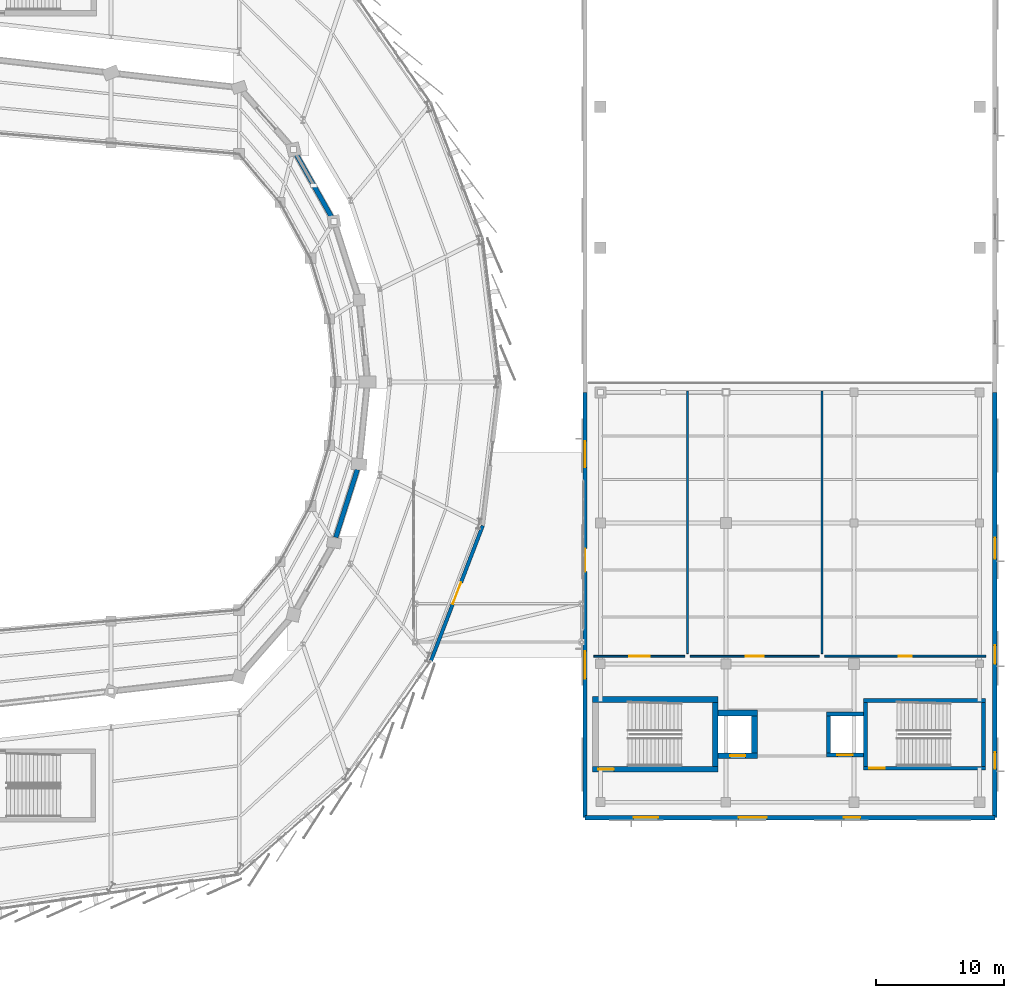
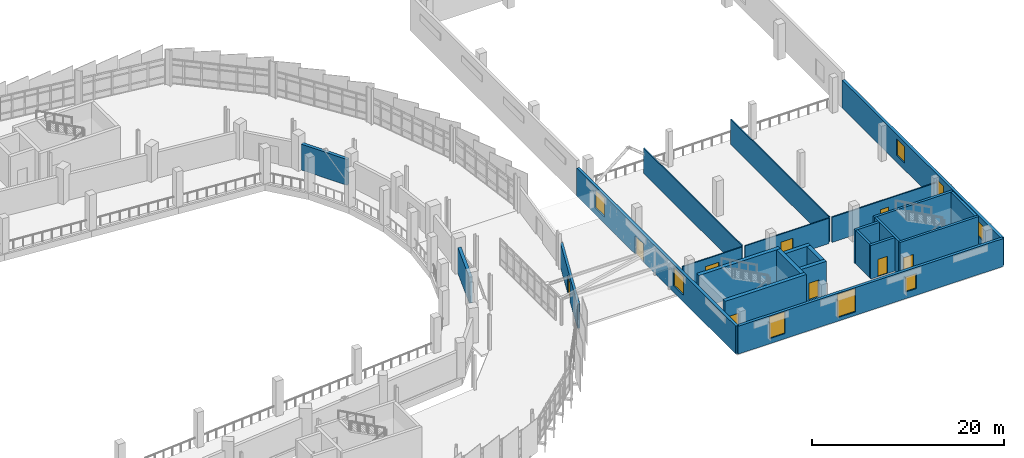
# One storey, part 108 of 125: 24 walls, 9 doors, 8 windows, 17 openings.
"""IFC4 building model written with IfcOpenShell, lengths in metres."""

from ifc_helpers import new_model, si_unit, direction, frame, frame_2d, origin, place, context, subcontext, project, spatial, rectangle, extrude, material, layer, layer_set, type_object, element, fill, save


model = new_model("IFC4")

# Units and contexts
model_context = context("Model", 3, precision=1e-05, world=origin(), true_north=direction((0.0, 1.0)))
body_context = subcontext(model_context, "Body", "Model", "MODEL_VIEW")
ifc_project = project(units=[si_unit("LENGTHUNIT", "METRE"), si_unit("AREAUNIT", "SQUARE_METRE"), si_unit("VOLUMEUNIT", "CUBIC_METRE"), si_unit("PLANEANGLEUNIT", "RADIAN"), si_unit("MASSUNIT", "GRAM", prefix="KILO")], contexts=[model_context])

# Site, building, storey
site_placement = place(None, origin())
site = spatial("IfcSite", under=ifc_project, at=site_placement, CompositionType="ELEMENT")
building_placement = place(site_placement, origin())
building = spatial("IfcBuilding", under=site, at=building_placement, Name="Sohan Crest Arena", CompositionType="ELEMENT")
storey_placement = place(building_placement, frame((0.0, 0.0, 9.0)))
storey = spatial("IfcBuildingStorey", under=building, at=storey_placement, Name="L02", CompositionType="ELEMENT", Elevation=9.0)

# Wall, opening, door
ifc_material_1 = material(Name="Clinker brick and ceramic mosaic envelope wall", Category="masonry")
ifc_layer_1 = layer(ifc_material_1, 0.280029296875, Name="Clinker brick and ceramic mosaic envelope wall")
ifc_layer_set_1 = layer_set([ifc_layer_1], Name="Clinker brick and ceramic mosaic envelope wall")
wall_type_1 = type_object("IfcWallType", Name="WAL-EW02", PredefinedType="SOLIDWALL", material=ifc_layer_set_1)
wall_1_placement = place(storey_placement, frame((182.97607421875, 56.239013671875, 0.0), z_axis=(0.0, 0.0, 1.0), x_axis=(0.357550614444, 0.933893761683, 0.0)))
wall_1 = element("IfcWall", 1, at=wall_1_placement, inside=storey, type_object=wall_type_1, Name="External wall EW-094", PredefinedType="SOLIDWALL", context=body_context, shape_type="SweptSolid", body=[
    extrude(rectangle(XDim=11.2958984375, YDim=0.280029296875, at=frame_2d((5.64794921875, 0.0))), origin(), (0.0, 0.0, 1.0), 3.10009765625),
])
opening_1_placement = place(wall_1_placement, frame((4.748046875, 0.0, 0.0)))
opening_1 = element("IfcOpeningElement", 2, at=opening_1_placement, cuts=wall_1, Name="Opening BD-L02-22", PredefinedType="OPENING", context=body_context, shape_type="SweptSolid", body=[
    extrude(rectangle(XDim=1.800048828125, YDim=2.35009765625, at=frame_2d((0.89990234375, 1.175048828125))), frame((0.0, 0.14990234375, 0.0), z_axis=(0.0, -1.0, 0.0), x_axis=(1.0, 0.0, 0.0)), (0.0, 0.0, 1.0), 0.300048828125),
])
ifc_material_2 = material(Name="Glazed aluminium terrace access door", Category="aluminium")
door_type_1 = type_object("IfcDoorType", Name="DR-ED01", OperationType="DOUBLE_DOOR_SINGLE_SWING", PredefinedType="DOOR", material=ifc_material_2)
door_1_placement = place(opening_1_placement, frame((1.800048828125, 0.0, 0.0), z_axis=(0.0, 0.0, 1.0), x_axis=(-1.0, 0.0, 0.0)))
door_1 = element("IfcDoor", 3, at=door_1_placement, inside=storey, type_object=door_type_1, Name="Covered bridge passage door BD-L02-22", OperationType="DOUBLE_DOOR_SINGLE_SWING", OverallHeight=2.35009765625, OverallWidth=1.800048828125, PredefinedType="DOOR", context=body_context, shape_type="SweptSolid", body=[
    extrude(rectangle(XDim=1.800048828125, YDim=2.35009765625, at=frame_2d((0.89990234375, 1.175048828125))), frame((0.0, 0.02490234375, 0.0), z_axis=(0.0, -1.0, 0.0), x_axis=(1.0, 0.0, 0.0)), (0.0, 0.0, 1.0), 0.050048828125),
])
fill(opening_1, door_1)

# Wall, openings, windows
ifc_material_3 = material(Name="Honed dark basalt stone cladding wall", Category="masonry")
ifc_layer_2 = layer(ifc_material_3, 0.340087890625, Name="Honed dark basalt stone cladding wall")
ifc_layer_set_2 = layer_set([ifc_layer_2], Name="Honed dark basalt stone cladding wall")
wall_type_2 = type_object("IfcWallType", Name="WAL-EW04", PredefinedType="SOLIDWALL", material=ifc_layer_set_2)
wall_2_placement = place(storey_placement, frame((195.0, 44.0, 0.0), z_axis=(0.0, 0.0, 1.0), x_axis=(1.0, 0.0, 0.0)))
wall_2 = element("IfcWall", 4, at=wall_2_placement, inside=storey, type_object=wall_type_2, Name="External wall EW-114", PredefinedType="SOLIDWALL", context=body_context, shape_type="SweptSolid", body=[
    extrude(rectangle(XDim=32.0, YDim=0.340087890625, at=frame_2d((16.0, 0.0))), origin(), (0.0, 0.0, 1.0), 3.550048828125),
])
opening_2_placement = place(wall_2_placement, frame((3.800048828125, 0.0, 0.64990234375)))
opening_2 = element("IfcOpeningElement", 5, at=opening_2_placement, cuts=wall_2, Name="Opening W-014", PredefinedType="OPENING", context=body_context, shape_type="SweptSolid", body=[
    extrude(rectangle(XDim=1.89990234375, YDim=2.800048828125, at=frame_2d((0.949951171875, 1.39990234375))), frame((0.0, 0.179931640625, 0.0), z_axis=(0.0, -1.0, 0.0), x_axis=(1.0, 0.0, 0.0)), (0.0, 0.0, 1.0), 0.360107421875),
])
opening_3_placement = place(wall_2_placement, frame((12.0, 0.0, 0.449951171875)))
opening_3 = element("IfcOpeningElement", 6, at=opening_3_placement, cuts=wall_2, Name="Opening W-015", PredefinedType="OPENING", context=body_context, shape_type="SweptSolid", body=[
    extrude(rectangle(XDim=2.199951171875, YDim=3.0, at=frame_2d((1.10009765625, 1.5))), frame((0.0, 0.179931640625, 0.0), z_axis=(0.0, -1.0, 0.0), x_axis=(1.0, 0.0, 0.0)), (0.0, 0.0, 1.0), 0.360107421875),
])
opening_4_placement = place(wall_2_placement, frame((20.199951171875, 0.0, 0.85009765625)))
opening_4 = element("IfcOpeningElement", 7, at=opening_4_placement, cuts=wall_2, Name="Opening W-016", PredefinedType="OPENING", context=body_context, shape_type="SweptSolid", body=[
    extrude(rectangle(XDim=1.300048828125, YDim=1.89990234375, at=frame_2d((0.64990234375, 0.949951171875))), frame((0.0, 0.179931640625, 0.0), z_axis=(0.0, -1.0, 0.0), x_axis=(1.0, 0.0, 0.0)), (0.0, 0.0, 1.0), 0.360107421875),
])
ifc_material_4 = material(Name="Low-E double-glazed insulated glass", Category="glass")
window_type_1 = type_object("IfcWindowType", Name="WIN-W14", PartitioningType="SINGLE_PANEL", PredefinedType="WINDOW", material=ifc_material_4)
window_1_placement = place(opening_2_placement, origin())
window_1 = element("IfcWindow", 8, at=window_1_placement, inside=storey, type_object=window_type_1, Name="Community wing window W-014", OverallHeight=2.800048828125, OverallWidth=1.89990234375, PartitioningType="SINGLE_PANEL", PredefinedType="WINDOW", context=body_context, shape_type="SweptSolid", body=[
    extrude(rectangle(XDim=1.89990234375, YDim=2.800048828125, at=frame_2d((0.949951171875, 1.39990234375))), frame((0.0, 0.030029296875, 0.0), z_axis=(0.0, -1.0, 0.0), x_axis=(1.0, 0.0, 0.0)), (0.0, 0.0, 1.0), 0.06005859375),
])
fill(opening_2, window_1)
window_type_2 = type_object("IfcWindowType", Name="WIN-W15", PartitioningType="SINGLE_PANEL", PredefinedType="WINDOW", material=ifc_material_4)
window_2_placement = place(opening_3_placement, origin())
window_2 = element("IfcWindow", 9, at=window_2_placement, inside=storey, type_object=window_type_2, Name="Community wing window W-015", OverallHeight=3.0, OverallWidth=2.199951171875, PartitioningType="SINGLE_PANEL", PredefinedType="WINDOW", context=body_context, shape_type="SweptSolid", body=[
    extrude(rectangle(XDim=2.199951171875, YDim=3.0, at=frame_2d((1.10009765625, 1.5))), frame((0.0, 0.030029296875, 0.0), z_axis=(0.0, -1.0, 0.0), x_axis=(1.0, 0.0, 0.0)), (0.0, 0.0, 1.0), 0.06005859375),
])
fill(opening_3, window_2)
window_type_3 = type_object("IfcWindowType", Name="WIN-W17", PartitioningType="SINGLE_PANEL", PredefinedType="WINDOW", material=ifc_material_4)
window_3_placement = place(opening_4_placement, origin())
window_3 = element("IfcWindow", 10, at=window_3_placement, inside=storey, type_object=window_type_3, Name="Community wing window W-016", OverallHeight=1.89990234375, OverallWidth=1.300048828125, PartitioningType="SINGLE_PANEL", PredefinedType="WINDOW", context=body_context, shape_type="SweptSolid", body=[
    extrude(rectangle(XDim=1.300048828125, YDim=1.89990234375, at=frame_2d((0.64990234375, 0.949951171875))), frame((0.0, 0.030029296875, 0.0), z_axis=(0.0, -1.0, 0.0), x_axis=(1.0, 0.0, 0.0)), (0.0, 0.0, 1.0), 0.06005859375),
])
fill(opening_4, window_3)

wall_3_placement = place(storey_placement, frame((227.0, 44.0, 0.0), z_axis=(0.0, 0.0, 1.0), x_axis=(0.0, 1.0, 0.0)))
wall_3 = element("IfcWall", 11, at=wall_3_placement, inside=storey, type_object=wall_type_2, Name="External wall EW-115", PredefinedType="SOLIDWALL", context=body_context, shape_type="SweptSolid", body=[
    extrude(rectangle(XDim=33.199951171875, YDim=0.340087890625, at=frame_2d((16.60009765625, 0.0))), origin(), (0.0, 0.0, 1.0), 3.550048828125),
])
opening_5_placement = place(wall_3_placement, frame((3.800048828125, 0.0, 0.85009765625)))
opening_5 = element("IfcOpeningElement", 12, at=opening_5_placement, cuts=wall_3, Name="Opening W-017", PredefinedType="OPENING", context=body_context, shape_type="SweptSolid", body=[
    extrude(rectangle(XDim=1.300048828125, YDim=1.89990234375, at=frame_2d((0.64990234375, 0.949951171875))), frame((0.0, 0.179931640625, 0.0), z_axis=(0.0, -1.0, 0.0), x_axis=(1.0, 0.0, 0.0)), (0.0, 0.0, 1.0), 0.360107421875),
])
opening_6_placement = place(wall_3_placement, frame((12.0, 0.0, 0.85009765625)))
opening_6 = element("IfcOpeningElement", 13, at=opening_6_placement, cuts=wall_3, Name="Opening W-018", PredefinedType="OPENING", context=body_context, shape_type="SweptSolid", body=[
    extrude(rectangle(XDim=1.449951171875, YDim=2.0, at=frame_2d((0.72509765625, 1.0))), frame((0.0, 0.179931640625, 0.0), z_axis=(0.0, -1.0, 0.0), x_axis=(1.0, 0.0, 0.0)), (0.0, 0.0, 1.0), 0.360107421875),
])
opening_7_placement = place(wall_3_placement, frame((20.199951171875, 0.0, 0.85009765625)))
opening_7 = element("IfcOpeningElement", 14, at=opening_7_placement, cuts=wall_3, Name="Opening W-019", PredefinedType="OPENING", context=body_context, shape_type="SweptSolid", body=[
    extrude(rectangle(XDim=1.64990234375, YDim=2.10009765625, at=frame_2d((0.824951171875, 1.050048828125))), frame((0.0, 0.179931640625, 0.0), z_axis=(0.0, -1.0, 0.0), x_axis=(1.0, 0.0, 0.0)), (0.0, 0.0, 1.0), 0.360107421875),
])
window_4_placement = place(opening_5_placement, origin())
window_4 = element("IfcWindow", 15, at=window_4_placement, inside=storey, type_object=window_type_3, Name="Community wing window W-017", OverallHeight=1.89990234375, OverallWidth=1.300048828125, PartitioningType="SINGLE_PANEL", PredefinedType="WINDOW", context=body_context, shape_type="SweptSolid", body=[
    extrude(rectangle(XDim=1.300048828125, YDim=1.89990234375, at=frame_2d((0.64990234375, 0.949951171875))), frame((0.0, 0.030029296875, 0.0), z_axis=(0.0, -1.0, 0.0), x_axis=(1.0, 0.0, 0.0)), (0.0, 0.0, 1.0), 0.06005859375),
])
fill(opening_5, window_4)
window_type_4 = type_object("IfcWindowType", Name="WIN-W18", PartitioningType="SINGLE_PANEL", PredefinedType="WINDOW", material=ifc_material_4)
window_5_placement = place(opening_6_placement, origin())
window_5 = element("IfcWindow", 16, at=window_5_placement, inside=storey, type_object=window_type_4, Name="Community wing window W-018", OverallHeight=2.0, OverallWidth=1.449951171875, PartitioningType="SINGLE_PANEL", PredefinedType="WINDOW", context=body_context, shape_type="SweptSolid", body=[
    extrude(rectangle(XDim=1.449951171875, YDim=2.0, at=frame_2d((0.72509765625, 1.0))), frame((0.0, 0.030029296875, 0.0), z_axis=(0.0, -1.0, 0.0), x_axis=(1.0, 0.0, 0.0)), (0.0, 0.0, 1.0), 0.06005859375),
])
fill(opening_6, window_5)
window_type_5 = type_object("IfcWindowType", Name="WIN-W19", PartitioningType="SINGLE_PANEL", PredefinedType="WINDOW", material=ifc_material_4)
window_6_placement = place(opening_7_placement, origin())
window_6 = element("IfcWindow", 17, at=window_6_placement, inside=storey, type_object=window_type_5, Name="Community wing window W-019", OverallHeight=2.10009765625, OverallWidth=1.64990234375, PartitioningType="SINGLE_PANEL", PredefinedType="WINDOW", context=body_context, shape_type="SweptSolid", body=[
    extrude(rectangle(XDim=1.64990234375, YDim=2.10009765625, at=frame_2d((0.824951171875, 1.050048828125))), frame((0.0, 0.030029296875, 0.0), z_axis=(0.0, -1.0, 0.0), x_axis=(1.0, 0.0, 0.0)), (0.0, 0.0, 1.0), 0.06005859375),
])
fill(opening_7, window_6)

# Wall, openings, door, windows
wall_4_placement = place(storey_placement, frame((195.0, 77.199951171875, 0.0), z_axis=(0.0, 0.0, 1.0), x_axis=(0.0, -1.0, 0.0)))
wall_4 = element("IfcWall", 18, at=wall_4_placement, inside=storey, type_object=wall_type_2, Name="External wall EW-119", PredefinedType="SOLIDWALL", context=body_context, shape_type="SweptSolid", body=[
    extrude(rectangle(XDim=33.199951171875, YDim=0.340087890625, at=frame_2d((16.60009765625, 0.0))), origin(), (0.0, 0.0, 1.0), 3.550048828125),
])
opening_8_placement = place(wall_4_placement, frame((12.199951171875, 0.0, 0.0)))
opening_8 = element("IfcOpeningElement", 19, at=opening_8_placement, cuts=wall_4, Name="Opening V4B-L02-64", PredefinedType="OPENING", context=body_context, shape_type="SweptSolid", body=[
    extrude(rectangle(XDim=1.800048828125, YDim=2.35009765625, at=frame_2d((0.89990234375, 1.175048828125))), frame((0.0, 0.179931640625, 0.0), z_axis=(0.0, -1.0, 0.0), x_axis=(1.0, 0.0, 0.0)), (0.0, 0.0, 1.0), 0.360107421875),
])
opening_9_placement = place(wall_4_placement, frame((3.800048828125, 0.0, 0.85009765625)))
opening_9 = element("IfcOpeningElement", 20, at=opening_9_placement, cuts=wall_4, Name="Opening W-023", PredefinedType="OPENING", context=body_context, shape_type="SweptSolid", body=[
    extrude(rectangle(XDim=2.050048828125, YDim=2.300048828125, at=frame_2d((1.02490234375, 1.14990234375))), frame((0.0, 0.179931640625, 0.0), z_axis=(0.0, -1.0, 0.0), x_axis=(1.0, 0.0, 0.0)), (0.0, 0.0, 1.0), 0.360107421875),
])
opening_10_placement = place(wall_4_placement, frame((20.199951171875, 0.0, 0.85009765625)))
opening_10 = element("IfcOpeningElement", 21, at=opening_10_placement, cuts=wall_4, Name="Opening W-024", PredefinedType="OPENING", context=body_context, shape_type="SweptSolid", body=[
    extrude(rectangle(XDim=2.14990234375, YDim=2.35009765625, at=frame_2d((1.074951171875, 1.175048828125))), frame((0.0, 0.179931640625, 0.0), z_axis=(0.0, -1.0, 0.0), x_axis=(1.0, 0.0, 0.0)), (0.0, 0.0, 1.0), 0.360107421875),
])
door_2_placement = place(opening_8_placement, frame((1.800048828125, 0.0, 0.0), z_axis=(0.0, 0.0, 1.0), x_axis=(-1.0, 0.0, 0.0)))
door_2 = element("IfcDoor", 22, at=door_2_placement, inside=storey, type_object=door_type_1, Name="Practice hall bridge door V4B-L02-64", OperationType="DOUBLE_DOOR_SINGLE_SWING", OverallHeight=2.35009765625, OverallWidth=1.800048828125, PredefinedType="DOOR", context=body_context, shape_type="SweptSolid", body=[
    extrude(rectangle(XDim=1.800048828125, YDim=2.35009765625, at=frame_2d((0.89990234375, 1.175048828125))), frame((0.0, 0.02490234375, 0.0), z_axis=(0.0, -1.0, 0.0), x_axis=(1.0, 0.0, 0.0)), (0.0, 0.0, 1.0), 0.050048828125),
])
fill(opening_8, door_2)
window_type_6 = type_object("IfcWindowType", Name="WIN-W23", PartitioningType="SINGLE_PANEL", PredefinedType="WINDOW", material=ifc_material_4)
window_7_placement = place(opening_9_placement, origin())
window_7 = element("IfcWindow", 23, at=window_7_placement, inside=storey, type_object=window_type_6, Name="Community wing window W-023", OverallHeight=2.300048828125, OverallWidth=2.050048828125, PartitioningType="SINGLE_PANEL", PredefinedType="WINDOW", context=body_context, shape_type="SweptSolid", body=[
    extrude(rectangle(XDim=2.050048828125, YDim=2.300048828125, at=frame_2d((1.02490234375, 1.14990234375))), frame((0.0, 0.030029296875, 0.0), z_axis=(0.0, -1.0, 0.0), x_axis=(1.0, 0.0, 0.0)), (0.0, 0.0, 1.0), 0.06005859375),
])
fill(opening_9, window_7)
window_type_7 = type_object("IfcWindowType", Name="WIN-W24", PartitioningType="SINGLE_PANEL", PredefinedType="WINDOW", material=ifc_material_4)
window_8_placement = place(opening_10_placement, origin())
window_8 = element("IfcWindow", 24, at=window_8_placement, inside=storey, type_object=window_type_7, Name="Community wing window W-024", OverallHeight=2.35009765625, OverallWidth=2.14990234375, PartitioningType="SINGLE_PANEL", PredefinedType="WINDOW", context=body_context, shape_type="SweptSolid", body=[
    extrude(rectangle(XDim=2.14990234375, YDim=2.35009765625, at=frame_2d((1.074951171875, 1.175048828125))), frame((0.0, 0.030029296875, 0.0), z_axis=(0.0, -1.0, 0.0), x_axis=(1.0, 0.0, 0.0)), (0.0, 0.0, 1.0), 0.06005859375),
])
fill(opening_10, window_8)

# Walls
ifc_material_5 = material(Name="Acoustic insulated bowl drum enclosure wall", Category="masonry")
ifc_layer_3 = layer(ifc_material_5, 0.3701171875, Name="Acoustic insulated bowl drum enclosure wall")
ifc_layer_set_3 = layer_set([ifc_layer_3], Name="Acoustic insulated bowl drum enclosure wall")
wall_type_3 = type_object("IfcWallType", Name="WAL-EW05", PredefinedType="SOLIDWALL", material=ifc_layer_set_3)
wall_5_placement = place(storey_placement, frame((175.5419921875, 65.8740234375, 0.0), z_axis=(0.0, 0.0, 1.0), x_axis=(0.30346633641, 0.952842160416, 0.0)))
element("IfcWall", 25, at=wall_5_placement, inside=storey, type_object=wall_type_3, Name="Acoustic bowl drum wall BW-L02-22", PredefinedType="SOLIDWALL", context=body_context, shape_type="SweptSolid", body=[
    extrude(rectangle(XDim=5.562255859375, YDim=0.3701171875, at=frame_2d((2.78125, 0.0))), origin(), (0.0, 0.0, 1.0), 3.300048828125),
])
wall_6_placement = place(storey_placement, frame((175.193115234375, 90.927978515625, 0.0), z_axis=(0.0, 0.0, 1.0), x_axis=(-0.491617455844, 0.870811275254, 0.0)))
element("IfcWall", 26, at=wall_6_placement, inside=storey, type_object=wall_type_3, Name="Acoustic bowl drum wall BW-L02-26", PredefinedType="SOLIDWALL", context=body_context, shape_type="SweptSolid", body=[
    extrude(rectangle(XDim=5.5615234375, YDim=0.3701171875, at=frame_2d((2.78076171875, 0.0))), origin(), (0.0, 0.0, 1.0), 3.300048828125),
])
ifc_material_6 = material(Name="Suite acoustic stud partition", Category="masonry")
ifc_layer_4 = layer(ifc_material_6, 0.135009765625, Name="Suite acoustic stud partition")
ifc_layer_set_4 = layer_set([ifc_layer_4], Name="Suite acoustic stud partition")
wall_type_4 = type_object("IfcWallType", Name="WAL-PW02", PredefinedType="PARTITIONING", material=ifc_layer_set_4)
for number, where, z_axis, x_axis, name in (
    (27, (203.0, 56.800048828125, 0.0), (0.0, 0.0, 1.0), (0.0, 1.0, 0.0), "Interior partition wall PW-0904"),
    (28, (213.5, 56.800048828125, 0.0), (0.0, 0.0, 1.0), (0.0, 1.0, 0.0), "Interior partition wall PW-0905"),
):
    element("IfcWall", number, at=place(storey_placement, frame(where, z_axis=z_axis, x_axis=x_axis)), inside=storey, type_object=wall_type_4, Name=name, PredefinedType="PARTITIONING", context=body_context, shape_type="SweptSolid", body=[
        extrude(rectangle(XDim=20.5, YDim=0.135009765625, at=frame_2d((10.25, 0.0))), origin(), (0.0, 0.0, 1.0), 3.219970703125),
    ])

# Wall, opening, door
wall_7_placement = place(storey_placement, frame((195.699951171875, 56.60009765625, 0.0), z_axis=(0.0, 0.0, 1.0), x_axis=(1.0, 0.0, 0.0)))
wall_7 = element("IfcWall", 29, at=wall_7_placement, inside=storey, type_object=wall_type_4, Name="Interior partition wall PW-0906", PredefinedType="PARTITIONING", context=body_context, shape_type="SweptSolid", body=[
    extrude(rectangle(XDim=7.10009765625, YDim=0.135009765625, at=frame_2d((3.550048828125, 0.0))), origin(), (0.0, 0.0, 1.0), 3.219970703125),
])
opening_11_placement = place(wall_7_placement, frame((2.75, 0.0, 0.0)))
opening_11 = element("IfcOpeningElement", 30, at=opening_11_placement, cuts=wall_7, Name="Opening V4D-0268", PredefinedType="OPENING", context=body_context, shape_type="SweptSolid", body=[
    extrude(rectangle(XDim=1.60009765625, YDim=2.25, at=frame_2d((0.800048828125, 1.125))), frame((0.0, 0.077392578125, 0.0), z_axis=(0.0, -1.0, 0.0), x_axis=(1.0, 0.0, 0.0)), (0.0, 0.0, 1.0), 0.155029296875),
])
ifc_material_7 = material(Name="Solid oak acoustic club lounge double door", Category="wood")
door_type_2 = type_object("IfcDoorType", Name="DR-ID01", OperationType="DOUBLE_DOOR_SINGLE_SWING", PredefinedType="DOOR", material=ifc_material_7)
door_3_placement = place(opening_11_placement, origin())
door_3 = element("IfcDoor", 31, at=door_3_placement, inside=storey, type_object=door_type_2, Name="Youth Fitness Studio door V4D-0268", OperationType="DOUBLE_DOOR_SINGLE_SWING", OverallHeight=2.25, OverallWidth=1.60009765625, PredefinedType="DOOR", context=body_context, shape_type="SweptSolid", body=[
    extrude(rectangle(XDim=1.60009765625, YDim=2.25, at=frame_2d((0.800048828125, 1.125))), frame((0.0, 0.02490234375, 0.0), z_axis=(0.0, -1.0, 0.0), x_axis=(1.0, 0.0, 0.0)), (0.0, 0.0, 1.0), 0.050048828125),
])
fill(opening_11, door_3)

wall_8_placement = place(storey_placement, frame((203.199951171875, 56.60009765625, 0.0), z_axis=(0.0, 0.0, 1.0), x_axis=(1.0, 0.0, 0.0)))
wall_8 = element("IfcWall", 32, at=wall_8_placement, inside=storey, type_object=wall_type_4, Name="Interior partition wall PW-0907", PredefinedType="PARTITIONING", context=body_context, shape_type="SweptSolid", body=[
    extrude(rectangle(XDim=10.10009765625, YDim=0.135009765625, at=frame_2d((5.050048828125, 0.0))), origin(), (0.0, 0.0, 1.0), 3.219970703125),
])
opening_12_placement = place(wall_8_placement, frame((4.35009765625, 0.0, 0.0)))
opening_12 = element("IfcOpeningElement", 33, at=opening_12_placement, cuts=wall_8, Name="Opening V4D-0269", PredefinedType="OPENING", context=body_context, shape_type="SweptSolid", body=[
    extrude(rectangle(XDim=1.39990234375, YDim=2.199951171875, at=frame_2d((0.699951171875, 1.10009765625))), frame((0.0, 0.077392578125, 0.0), z_axis=(0.0, -1.0, 0.0), x_axis=(1.0, 0.0, 0.0)), (0.0, 0.0, 1.0), 0.155029296875),
])
ifc_material_8 = material(Name="Solid oak practice hall double door", Category="wood")
door_type_3 = type_object("IfcDoorType", Name="DR-ID02", OperationType="DOUBLE_DOOR_SINGLE_SWING", PredefinedType="DOOR", material=ifc_material_8)
door_4_placement = place(opening_12_placement, origin())
door_4 = element("IfcDoor", 34, at=door_4_placement, inside=storey, type_object=door_type_3, Name="Physiotherapy and Rehab Clinic door V4D-0269", OperationType="DOUBLE_DOOR_SINGLE_SWING", OverallHeight=2.199951171875, OverallWidth=1.39990234375, PredefinedType="DOOR", context=body_context, shape_type="SweptSolid", body=[
    extrude(rectangle(XDim=1.39990234375, YDim=2.199951171875, at=frame_2d((0.699951171875, 1.10009765625))), frame((0.0, 0.02490234375, 0.0), z_axis=(0.0, -1.0, 0.0), x_axis=(1.0, 0.0, 0.0)), (0.0, 0.0, 1.0), 0.050048828125),
])
fill(opening_12, door_4)

ifc_material_9 = material(Name="Wet-area moisture-resistant masonry partition", Category="masonry")
ifc_layer_5 = layer(ifc_material_9, 0.14990234375, Name="Wet-area moisture-resistant masonry partition")
ifc_layer_set_5 = layer_set([ifc_layer_5], Name="Wet-area moisture-resistant masonry partition")
wall_type_5 = type_object("IfcWallType", Name="WAL-PW03", PredefinedType="PARTITIONING", material=ifc_layer_set_5)
wall_9_placement = place(storey_placement, frame((213.699951171875, 56.60009765625, 0.0), z_axis=(0.0, 0.0, 1.0), x_axis=(1.0, 0.0, 0.0)))
wall_9 = element("IfcWall", 35, at=wall_9_placement, inside=storey, type_object=wall_type_5, Name="Interior partition wall PW-0908", PredefinedType="PARTITIONING", context=body_context, shape_type="SweptSolid", body=[
    extrude(rectangle(XDim=12.60009765625, YDim=0.14990234375, at=frame_2d((6.300048828125, 0.0))), origin(), (0.0, 0.0, 1.0), 3.219970703125),
])
opening_13_placement = place(wall_9_placement, frame((5.7900390625, 0.0, 0.0)))
opening_13 = element("IfcOpeningElement", 36, at=opening_13_placement, cuts=wall_9, Name="Opening WC-0270", PredefinedType="OPENING", context=body_context, shape_type="SweptSolid", body=[
    extrude(rectangle(XDim=1.02001953125, YDim=2.14990234375, at=frame_2d((0.510009765625, 1.074951171875))), frame((0.0, 0.0849609375, 0.0), z_axis=(0.0, -1.0, 0.0), x_axis=(1.0, 0.0, 0.0)), (0.0, 0.0, 1.0), 0.169921875),
])
ifc_material_10 = material(Name="Accessible toilet and dressing room door", Category="wood")
door_type_4 = type_object("IfcDoorType", Name="DR-ID03", OperationType="NOTDEFINED", PredefinedType="DOOR", material=ifc_material_10)
door_5_placement = place(opening_13_placement, origin())
door_5 = element("IfcDoor", 37, at=door_5_placement, inside=storey, type_object=door_type_4, Name="Community Accessible WC L02 door WC-0270", OperationType="SINGLE_SWING_LEFT", OverallHeight=2.14990234375, OverallWidth=1.02001953125, PredefinedType="DOOR", context=body_context, shape_type="SweptSolid", body=[
    extrude(rectangle(XDim=1.02001953125, YDim=2.14990234375, at=frame_2d((0.510009765625, 1.074951171875))), frame((0.0, 0.02490234375, 0.0), z_axis=(0.0, -1.0, 0.0), x_axis=(1.0, 0.0, 0.0)), (0.0, 0.0, 1.0), 0.050048828125),
])
fill(opening_13, door_5)

# Walls
ifc_material_11 = material(Name="Concrete C40/50", Category="concrete")
ifc_layer_6 = layer(ifc_material_11, 0.300048828125, Name="Concrete C40/50")
ifc_layer_set_6 = layer_set([ifc_layer_6], Name="Concrete C40/50")
wall_type_6 = type_object("IfcWallType", Name="WAL-SW01", PredefinedType="SHEAR", material=ifc_layer_set_6)
for number, where, z_axis, x_axis, name in (
    (38, (216.89990234375, 48.0, 0.0), (0.0, 0.0, 1.0), (0.0, 1.0, 0.0), "Core shear wall SW-0635"),
    (39, (226.10009765625, 48.0, 0.0), (0.0, 0.0, 1.0), (0.0, 1.0, 0.0), "Core shear wall SW-0636"),
):
    element("IfcWall", number, at=place(storey_placement, frame(where, z_axis=z_axis, x_axis=x_axis)), inside=storey, type_object=wall_type_6, Name=name, PredefinedType="SHEAR", context=body_context, shape_type="SweptSolid", body=[
        extrude(rectangle(XDim=5.0, YDim=0.300048828125, at=frame_2d((2.5, 0.0))), origin(), (0.0, 0.0, 1.0), 4.27001953125),
    ])

# Wall, opening, door
wall_10_placement = place(storey_placement, frame((216.75, 47.85009765625, 0.0), z_axis=(0.0, 0.0, 1.0), x_axis=(1.0, 0.0, 0.0)))
wall_10 = element("IfcWall", 40, at=wall_10_placement, inside=storey, type_object=wall_type_6, Name="Core shear wall SW-0637", PredefinedType="SHEAR", context=body_context, shape_type="SweptSolid", body=[
    extrude(rectangle(XDim=9.5, YDim=0.300048828125, at=frame_2d((4.75, 0.0))), origin(), (0.0, 0.0, 1.0), 4.27001953125),
])
opening_14_placement = place(wall_10_placement, frame((0.449951171875, 0.0, 0.0)))
opening_14 = element("IfcOpeningElement", 41, at=opening_14_placement, cuts=wall_10, Name="Opening SD-0171", PredefinedType="OPENING", context=body_context, shape_type="SweptSolid", body=[
    extrude(rectangle(XDim=1.199951171875, YDim=2.199951171875, at=frame_2d((0.60009765625, 1.10009765625))), frame((0.0, 0.159912109375, 0.0), z_axis=(0.0, -1.0, 0.0), x_axis=(1.0, 0.0, 0.0)), (0.0, 0.0, 1.0), 0.320068359375),
])
ifc_material_12 = material(Name="Fire-rated steel stair and lobby door", Category="steel")
door_type_5 = type_object("IfcDoorType", Name="DR-FD04", OperationType="NOTDEFINED", PredefinedType="DOOR", material=ifc_material_12)
door_6_placement = place(opening_14_placement, frame((1.199951171875, 0.0, 0.0), z_axis=(0.0, 0.0, 1.0), x_axis=(-1.0, 0.0, 0.0)))
door_6 = element("IfcDoor", 42, at=door_6_placement, inside=storey, type_object=door_type_5, Name="Protected stair door SD-0171", OperationType="SINGLE_SWING_LEFT", OverallHeight=2.199951171875, OverallWidth=1.199951171875, PredefinedType="DOOR", context=body_context, shape_type="SweptSolid", body=[
    extrude(rectangle(XDim=1.199951171875, YDim=2.199951171875, at=frame_2d((0.60009765625, 1.10009765625))), frame((0.0, 0.02490234375, 0.0), z_axis=(0.0, -1.0, 0.0), x_axis=(1.0, 0.0, 0.0)), (0.0, 0.0, 1.0), 0.050048828125),
])
fill(opening_14, door_6)

# Walls
wall_11_placement = place(storey_placement, frame((216.75, 53.14990234375, 0.0), z_axis=(0.0, 0.0, 1.0), x_axis=(1.0, 0.0, 0.0)))
element("IfcWall", 43, at=wall_11_placement, inside=storey, type_object=wall_type_6, Name="Core shear wall SW-0638", PredefinedType="SHEAR", context=body_context, shape_type="SweptSolid", body=[
    extrude(rectangle(XDim=9.5, YDim=0.300048828125, at=frame_2d((4.75, 0.0))), origin(), (0.0, 0.0, 1.0), 4.27001953125),
])
wall_12_placement = place(storey_placement, frame((214.0, 49.050048828125, 0.0), z_axis=(0.0, 0.0, 1.0), x_axis=(0.0, 1.0, 0.0)))
element("IfcWall", 44, at=wall_12_placement, inside=storey, type_object=wall_type_6, Name="Core shear wall SW-0639", PredefinedType="SHEAR", context=body_context, shape_type="SweptSolid", body=[
    extrude(rectangle(XDim=2.89990234375, YDim=0.300048828125, at=frame_2d((1.449951171875, 0.0))), origin(), (0.0, 0.0, 1.0), 4.27001953125),
])

# Wall, opening, door
wall_13_placement = place(storey_placement, frame((213.85009765625, 48.89990234375, 0.0), z_axis=(0.0, 0.0, 1.0), x_axis=(1.0, 0.0, 0.0)))
wall_13 = element("IfcWall", 45, at=wall_13_placement, inside=storey, type_object=wall_type_6, Name="Core shear wall SW-0640", PredefinedType="SHEAR", context=body_context, shape_type="SweptSolid", body=[
    extrude(rectangle(XDim=2.89990234375, YDim=0.300048828125, at=frame_2d((1.449951171875, 0.0))), origin(), (0.0, 0.0, 1.0), 4.27001953125),
])
opening_15_placement = place(wall_13_placement, frame((0.85009765625, 0.0, 0.0)))
opening_15 = element("IfcOpeningElement", 46, at=opening_15_placement, cuts=wall_13, Name="Opening LD-LP12-L02", PredefinedType="OPENING", context=body_context, shape_type="SweptSolid", body=[
    extrude(rectangle(XDim=1.199951171875, YDim=2.199951171875, at=frame_2d((0.60009765625, 1.10009765625))), frame((0.0, 0.159912109375, 0.0), z_axis=(0.0, -1.0, 0.0), x_axis=(1.0, 0.0, 0.0)), (0.0, 0.0, 1.0), 0.320068359375),
])
ifc_material_13 = material(Name="Stainless steel passenger lift landing door", Category="steel")
door_type_6 = type_object("IfcDoorType", Name="DR-LD02", OperationType="SLIDING_TO_LEFT", PredefinedType="DOOR", material=ifc_material_13)
door_7_placement = place(opening_15_placement, origin())
door_7 = element("IfcDoor", 47, at=door_7_placement, inside=storey, type_object=door_type_6, Name="Sliding lift landing door LD-LP12-L02", OperationType="SLIDING_TO_LEFT", OverallHeight=2.199951171875, OverallWidth=1.199951171875, PredefinedType="DOOR", context=body_context, shape_type="SweptSolid", body=[
    extrude(rectangle(XDim=1.199951171875, YDim=2.199951171875, at=frame_2d((0.60009765625, 1.10009765625))), frame((0.0, 0.02490234375, 0.0), z_axis=(0.0, -1.0, 0.0), x_axis=(1.0, 0.0, 0.0)), (0.0, 0.0, 1.0), 0.050048828125),
])
fill(opening_15, door_7)

# Walls
wall_14_placement = place(storey_placement, frame((213.85009765625, 52.10009765625, 0.0), z_axis=(0.0, 0.0, 1.0), x_axis=(1.0, 0.0, 0.0)))
element("IfcWall", 48, at=wall_14_placement, inside=storey, type_object=wall_type_6, Name="Core shear wall SW-0641", PredefinedType="SHEAR", context=body_context, shape_type="SweptSolid", body=[
    extrude(rectangle(XDim=2.89990234375, YDim=0.300048828125, at=frame_2d((1.449951171875, 0.0))), origin(), (0.0, 0.0, 1.0), 4.27001953125),
])
ifc_layer_7 = layer(ifc_material_11, 0.449951171875, Name="Concrete C40/50")
ifc_layer_set_7 = layer_set([ifc_layer_7], Name="Concrete C40/50")
wall_type_7 = type_object("IfcWallType", Name="WAL-SW04", PredefinedType="SHEAR", material=ifc_layer_set_7)
wall_15_placement = place(storey_placement, frame((205.175048828125, 48.0, 0.0), z_axis=(0.0, 0.0, 1.0), x_axis=(0.0, 1.0, 0.0)))
element("IfcWall", 49, at=wall_15_placement, inside=storey, type_object=wall_type_7, Name="Core shear wall SW-0604", PredefinedType="SHEAR", context=body_context, shape_type="SweptSolid", body=[
    extrude(rectangle(XDim=5.0, YDim=0.449951171875, at=frame_2d((2.5, 0.0))), origin(), (0.0, 0.0, 1.0), 4.27001953125),
])

# Wall, opening, door
wall_16_placement = place(storey_placement, frame((195.60009765625, 47.77490234375, 0.0), z_axis=(0.0, 0.0, 1.0), x_axis=(1.0, 0.0, 0.0)))
wall_16 = element("IfcWall", 50, at=wall_16_placement, inside=storey, type_object=wall_type_7, Name="Core shear wall SW-0605", PredefinedType="SHEAR", context=body_context, shape_type="SweptSolid", body=[
    extrude(rectangle(XDim=9.7998046875, YDim=0.449951171875, at=frame_2d((4.89990234375, 0.0))), origin(), (0.0, 0.0, 1.0), 4.27001953125),
])
opening_16_placement = place(wall_16_placement, frame((0.449951171875, 0.0, 0.0)))
opening_16 = element("IfcOpeningElement", 51, at=opening_16_placement, cuts=wall_16, Name="Opening SD-0163", PredefinedType="OPENING", context=body_context, shape_type="SweptSolid", body=[
    extrude(rectangle(XDim=1.199951171875, YDim=2.199951171875, at=frame_2d((0.60009765625, 1.10009765625))), frame((0.0, 0.23486328125, 0.0), z_axis=(0.0, -1.0, 0.0), x_axis=(1.0, 0.0, 0.0)), (0.0, 0.0, 1.0), 0.469970703125),
])
door_8_placement = place(opening_16_placement, frame((1.199951171875, 0.0, 0.0), z_axis=(0.0, 0.0, 1.0), x_axis=(-1.0, 0.0, 0.0)))
door_8 = element("IfcDoor", 52, at=door_8_placement, inside=storey, type_object=door_type_5, Name="Protected stair door SD-0163", OperationType="SINGLE_SWING_LEFT", OverallHeight=2.199951171875, OverallWidth=1.199951171875, PredefinedType="DOOR", context=body_context, shape_type="SweptSolid", body=[
    extrude(rectangle(XDim=1.199951171875, YDim=2.199951171875, at=frame_2d((0.60009765625, 1.10009765625))), frame((0.0, 0.02490234375, 0.0), z_axis=(0.0, -1.0, 0.0), x_axis=(1.0, 0.0, 0.0)), (0.0, 0.0, 1.0), 0.050048828125),
])
fill(opening_16, door_8)

# Walls
wall_17_placement = place(storey_placement, frame((195.60009765625, 53.22509765625, 0.0), z_axis=(0.0, 0.0, 1.0), x_axis=(1.0, 0.0, 0.0)))
element("IfcWall", 53, at=wall_17_placement, inside=storey, type_object=wall_type_7, Name="Core shear wall SW-0606", PredefinedType="SHEAR", context=body_context, shape_type="SweptSolid", body=[
    extrude(rectangle(XDim=9.7998046875, YDim=0.449951171875, at=frame_2d((4.89990234375, 0.0))), origin(), (0.0, 0.0, 1.0), 4.27001953125),
])
wall_18_placement = place(storey_placement, frame((208.22509765625, 49.050048828125, 0.0), z_axis=(0.0, 0.0, 1.0), x_axis=(0.0, 1.0, 0.0)))
element("IfcWall", 54, at=wall_18_placement, inside=storey, type_object=wall_type_7, Name="Core shear wall SW-0607", PredefinedType="SHEAR", context=body_context, shape_type="SweptSolid", body=[
    extrude(rectangle(XDim=2.89990234375, YDim=0.449951171875, at=frame_2d((1.449951171875, 0.0))), origin(), (0.0, 0.0, 1.0), 4.27001953125),
])

# Wall, opening, door
wall_19_placement = place(storey_placement, frame((205.39990234375, 48.824951171875, 0.0), z_axis=(0.0, 0.0, 1.0), x_axis=(1.0, 0.0, 0.0)))
wall_19 = element("IfcWall", 55, at=wall_19_placement, inside=storey, type_object=wall_type_7, Name="Core shear wall SW-0608", PredefinedType="SHEAR", context=body_context, shape_type="SweptSolid", body=[
    extrude(rectangle(XDim=3.050048828125, YDim=0.449951171875, at=frame_2d((1.52490234375, 0.0))), origin(), (0.0, 0.0, 1.0), 4.27001953125),
])
opening_17_placement = place(wall_19_placement, frame((0.925048828125, 0.0, 0.0)))
opening_17 = element("IfcOpeningElement", 56, at=opening_17_placement, cuts=wall_19, Name="Opening LD-LP11-L02", PredefinedType="OPENING", context=body_context, shape_type="SweptSolid", body=[
    extrude(rectangle(XDim=1.199951171875, YDim=2.199951171875, at=frame_2d((0.60009765625, 1.10009765625))), frame((0.0, 0.23486328125, 0.0), z_axis=(0.0, -1.0, 0.0), x_axis=(1.0, 0.0, 0.0)), (0.0, 0.0, 1.0), 0.469970703125),
])
door_9_placement = place(opening_17_placement, origin())
door_9 = element("IfcDoor", 57, at=door_9_placement, inside=storey, type_object=door_type_6, Name="Sliding lift landing door LD-LP11-L02", OperationType="SLIDING_TO_LEFT", OverallHeight=2.199951171875, OverallWidth=1.199951171875, PredefinedType="DOOR", context=body_context, shape_type="SweptSolid", body=[
    extrude(rectangle(XDim=1.199951171875, YDim=2.199951171875, at=frame_2d((0.60009765625, 1.10009765625))), frame((0.0, 0.02490234375, 0.0), z_axis=(0.0, -1.0, 0.0), x_axis=(1.0, 0.0, 0.0)), (0.0, 0.0, 1.0), 0.050048828125),
])
fill(opening_17, door_9)

# Wall
wall_20_placement = place(storey_placement, frame((205.39990234375, 52.175048828125, 0.0), z_axis=(0.0, 0.0, 1.0), x_axis=(1.0, 0.0, 0.0)))
element("IfcWall", 58, at=wall_20_placement, inside=storey, type_object=wall_type_7, Name="Core shear wall SW-0609", PredefinedType="SHEAR", context=body_context, shape_type="SweptSolid", body=[
    extrude(rectangle(XDim=3.050048828125, YDim=0.449951171875, at=frame_2d((1.52490234375, 0.0))), origin(), (0.0, 0.0, 1.0), 4.27001953125),
])

save(model, "model.ifc")
